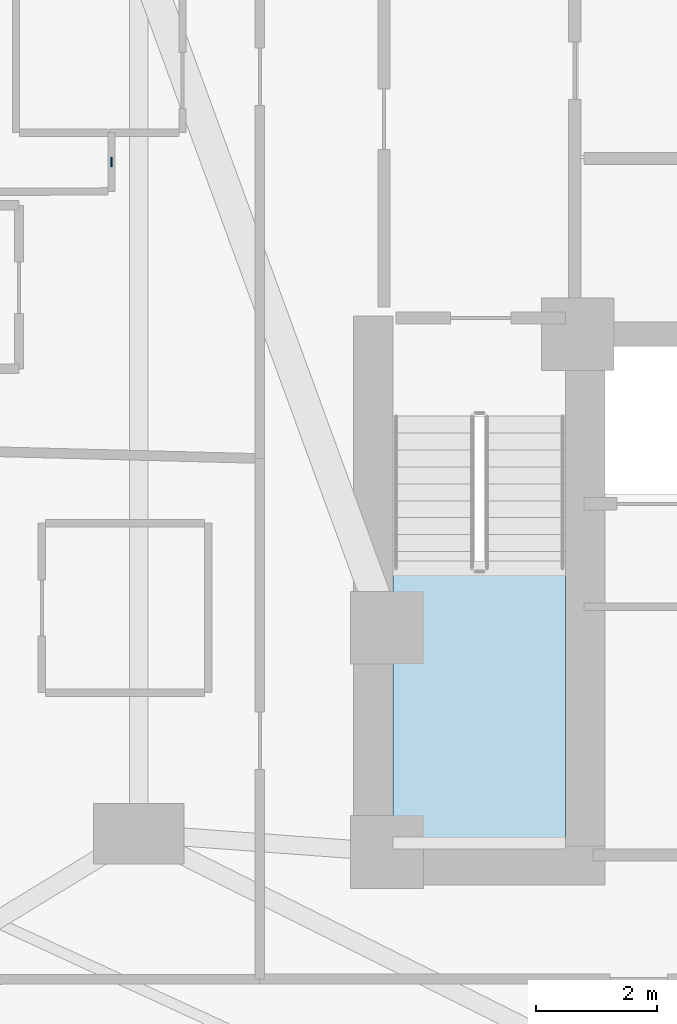
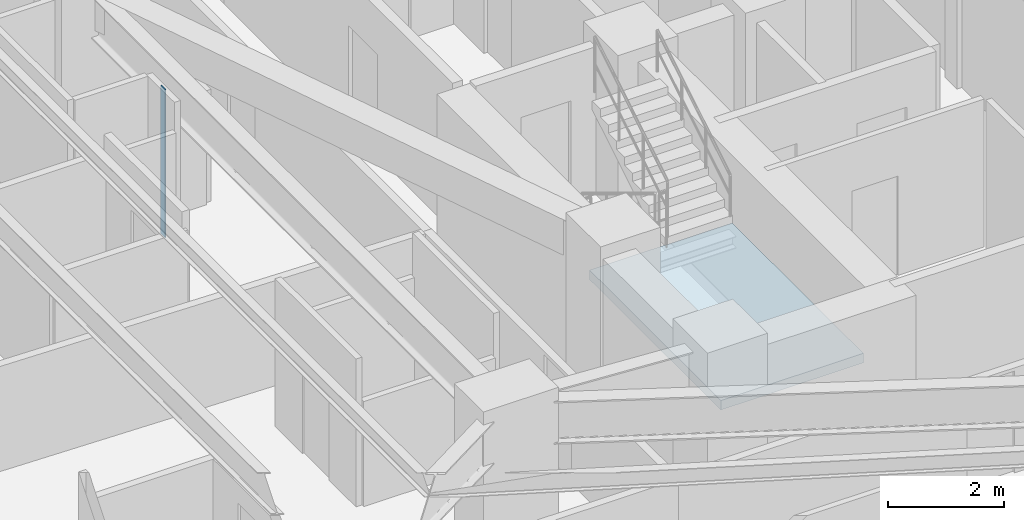
# One storey, part 4 of 17: 1 plate, 1 slab, 1 element without a shape of its own.
"""IFC4 building model written with IfcOpenShell, lengths in metres."""

import ifcopenshell
import ifcopenshell.guid

model = None  # the IFC model being written
_history = None  # IfcOwnerHistory: only IFC2X3 demands one
_inside = {}  # id of a spatial element -> (the spatial element, [elements in it])
_under = {}  # id of a project, library or spatial element -> (it, [spatial elements below it])
_declared = {}  # id of a project -> (the project, [libraries it declares])
_typed = {}  # id of a type object -> (the type object, [elements of that type])
_made_of = {}  # id of a material, layer set ... -> (it, [elements and type objects made of it])


def new_model(schema):
    """Start an empty IFC model of exactly this schema.

    Asked for "IFC4X3", IfcOpenShell would pick the latest addendum, in which some entities
    have other attributes; the version numbers below select the first issue.
    IFC2X3 requires an IfcOwnerHistory on every rooted entity: one is made here for all.
    """
    global model, _history
    if schema == "IFC4X3":
        model = ifcopenshell.file(schema_version=(4, 3, 0, 0))
    else:
        model = ifcopenshell.file(schema=schema)
    _inside.clear()
    _under.clear()
    _declared.clear()
    _typed.clear()
    _made_of.clear()
    _history = None
    if model.schema == "IFC2X3":
        org = make("IfcOrganization", Name="unknown")
        user = make(
            "IfcPersonAndOrganization",
            ThePerson=make("IfcPerson", FamilyName="unknown"),
            TheOrganization=org,
        )
        app = make(
            "IfcApplication",
            ApplicationDeveloper=org,
            Version="unknown",
            ApplicationFullName="unknown",
            ApplicationIdentifier="unknown",
        )
        _history = make(
            "IfcOwnerHistory",
            OwningUser=user,
            OwningApplication=app,
            ChangeAction="ADDED",
            CreationDate=0,
        )
    return model


def make(cls, **values):
    """One entity of the class cls with the attributes given. An attribute that is None is left unset."""
    return model.create_entity(
        cls, **{name: value for name, value in values.items() if value is not None}
    )


def rooted(cls, **values):
    """An entity with a GlobalId (a new one), such as an element, a storey or a relation."""
    return make(cls, GlobalId=ifcopenshell.guid.new(), OwnerHistory=_history, **values)


def si_unit(unit_type, name, prefix=None):
    """IfcSIUnit, for example si_unit("LENGTHUNIT", "METRE", prefix="MILLI")."""
    return make("IfcSIUnit", UnitType=unit_type, Prefix=prefix, Name=name)


def assignment(units):
    """IfcUnitAssignment: the units of a project."""
    return None if units is None else make("IfcUnitAssignment", Units=units)


def point(xyz):
    """IfcCartesianPoint."""
    return None if xyz is None else make("IfcCartesianPoint", Coordinates=xyz)


def direction(xyz):
    """IfcDirection."""
    return None if xyz is None else make("IfcDirection", DirectionRatios=xyz)


def frame(location, z_axis=None, x_axis=None):
    """IfcAxis2Placement3D, a coordinate frame: its origin and axes. An axis left out is left unset."""
    return make(
        "IfcAxis2Placement3D",
        Location=point(location),
        Axis=direction(z_axis),
        RefDirection=direction(x_axis),
    )


def frame_2d(location, x_axis=None):
    """IfcAxis2Placement2D, a coordinate frame in the plane: its origin and x axis."""
    return make(
        "IfcAxis2Placement2D", Location=point(location), RefDirection=direction(x_axis)
    )


def origin():
    """The frame at (0, 0, 0) with its axes left unset."""
    return frame((0.0, 0.0, 0.0))


def origin_2d():
    """The frame at (0, 0) in the plane with its x axis left unset."""
    return frame_2d((0.0, 0.0))


def place(relative_to, where):
    """IfcLocalPlacement: puts the frame where relative to a parent placement (None: the world)."""
    return make(
        "IfcLocalPlacement", PlacementRelTo=relative_to, RelativePlacement=where
    )


def context(
    kind, dimensions, precision=None, world=None, true_north=None, identifier=None
):
    """IfcGeometricRepresentationContext, for example the 3D "Model" context."""
    return make(
        "IfcGeometricRepresentationContext",
        ContextIdentifier=identifier,
        ContextType=kind,
        CoordinateSpaceDimension=dimensions,
        Precision=precision,
        WorldCoordinateSystem=world,
        TrueNorth=true_north,
    )


def subcontext(parent, identifier, kind, view, scale=None):
    """IfcGeometricRepresentationSubContext, for example "Body" below "Model"."""
    return make(
        "IfcGeometricRepresentationSubContext",
        ContextIdentifier=identifier,
        ContextType=kind,
        ParentContext=parent,
        TargetScale=scale,
        TargetView=view,
    )


def project(units=None, contexts=None):
    """IfcProject with its units and contexts."""
    return rooted(
        "IfcProject",
        Name="project",
        RepresentationContexts=contexts,
        UnitsInContext=assignment(units),
    )


def spatial(cls, under=None, at=None, **own):
    """A site, building, storey or space (cls), placed at a placement, below another one or the project."""
    s = rooted(cls, ObjectPlacement=at, **own)
    if under is not None:
        _under.setdefault(under.id(), (under, []))[1].append(s)
    return s


def polyline(points):
    """IfcPolyline through the points."""
    return make("IfcPolyline", Points=[point(p) for p in points])


def profile(cls, at=None, kind="AREA", **sizes):
    """A parametric profile (cls). Its sizes go by their IFC names, for example OverallWidth=200.0."""
    return make(cls, ProfileType=kind, Position=at, **sizes)


def rectangle(**sizes):
    """IfcRectangleProfileDef."""
    return profile("IfcRectangleProfileDef", **sizes)


def outline(outer, holes=None, kind="AREA"):
    """IfcArbitraryClosedProfileDef: a profile drawn as a closed curve; with holes, ...WithVoids."""
    if holes is None:
        return make("IfcArbitraryClosedProfileDef", ProfileType=kind, OuterCurve=outer)
    return make(
        "IfcArbitraryProfileDefWithVoids",
        ProfileType=kind,
        OuterCurve=outer,
        InnerCurves=holes,
    )


def extrude(swept, where, along, depth):
    """IfcExtrudedAreaSolid: the profile swept, set in the frame where, extruded along a direction by depth."""
    return make(
        "IfcExtrudedAreaSolid",
        SweptArea=swept,
        Position=where,
        ExtrudedDirection=direction(along),
        Depth=depth,
    )


def shape(context_of_items, identifier, shape_type, items):
    """IfcShapeRepresentation: the items that make up one representation, for example the "Body"."""
    return make(
        "IfcShapeRepresentation",
        ContextOfItems=context_of_items,
        RepresentationIdentifier=identifier,
        RepresentationType=shape_type,
        Items=items,
    )


def material(Name=None, Category=None):
    """IfcMaterial."""
    return make("IfcMaterial", Name=Name, Category=Category)


def layer(
    of_material, thickness, ventilated=None, Name=None, Category=None, Priority=None
):
    """IfcMaterialLayer: one layer of a wall or slab, of a material (None: an air gap)."""
    return make(
        "IfcMaterialLayer",
        Material=of_material,
        LayerThickness=thickness,
        IsVentilated=ventilated,
        Name=Name,
        Category=Category,
        Priority=Priority,
    )


def layer_set(layers, Name=None):
    """IfcMaterialLayerSet."""
    return make("IfcMaterialLayerSet", MaterialLayers=layers, LayerSetName=Name)


def made_of(thing, what):
    """Note that an element or type object is made of a material, layer set ...; save() writes the relation."""
    if what is not None:
        _made_of.setdefault(what.id(), (what, []))[1].append(thing)
    return thing


def type_object(cls, material=None, **own):
    """A type object (cls), such as IfcWallType, which elements share."""
    return made_of(rooted(cls, **own), material)


def element(
    cls,
    number,
    at=None,
    inside=None,
    cuts=None,
    type_object=None,
    material=None,
    context=None,
    identifier="Body",
    shape_type=None,
    held_by="IfcProductDefinitionShape",
    body=None,
    shapes=None,
    **own,
):
    """One element of the class cls, such as IfcWall. Its Tag is "e" and its number.

    at: its placement. inside: the storey or other place that contains it. cuts: it is an
    opening in that element (IfcRelVoidsElement). A single representation is given by context,
    identifier, shape_type and body (its items); several are given by shapes. held_by: the class
    of the entity that holds the representations. save() writes the other relations.
    """
    e = rooted(cls, Tag="e%d" % number, ObjectPlacement=at, **own)
    if body is not None:
        shapes = [shape(context, identifier, shape_type, body)]
    if shapes is not None:
        e.Representation = make(held_by, Representations=shapes)
    if inside is not None:
        _inside.setdefault(inside.id(), (inside, []))[1].append(e)
    if cuts is not None:
        rooted(
            "IfcRelVoidsElement", RelatingBuildingElement=cuts, RelatedOpeningElement=e
        )
    if type_object is not None:
        _typed.setdefault(type_object.id(), (type_object, []))[1].append(e)
    return made_of(e, material)


def aggregate(whole, parts):
    """IfcRelAggregates: a whole, such as a stair, and the parts it consists of."""
    return rooted("IfcRelAggregates", RelatingObject=whole, RelatedObjects=parts)


def save(model, path):
    """Write the relations noted so far, then the file.

    IfcRelAggregates (storeys below a building ...), IfcRelContainedInSpatialStructure (elements
    in a storey), IfcRelDefinesByType, IfcRelAssociatesMaterial and IfcRelDeclares: one each for
    every whole, place, type object, material and project.
    """
    for whole, parts in _under.values():
        aggregate(whole, parts)
    for where, things in _inside.values():
        rooted(
            "IfcRelContainedInSpatialStructure",
            RelatedElements=things,
            RelatingStructure=where,
        )
    for kind, things in _typed.values():
        rooted("IfcRelDefinesByType", RelatedObjects=things, RelatingType=kind)
    for what, things in _made_of.values():
        rooted("IfcRelAssociatesMaterial", RelatedObjects=things, RelatingMaterial=what)
    for by, libraries in _declared.values():
        rooted("IfcRelDeclares", RelatingContext=by, RelatedDefinitions=libraries)
    model.write(path)


model = new_model("IFC4")

# Units and contexts
model_context = context("Model", 3, precision=1e-05, world=origin(), true_north=direction((0.0, 1.0)))
body_context = subcontext(model_context, "Body", "Model", "MODEL_VIEW")
ifc_project = project(units=[si_unit("LENGTHUNIT", "METRE"), si_unit("AREAUNIT", "SQUARE_METRE"), si_unit("VOLUMEUNIT", "CUBIC_METRE"), si_unit("PLANEANGLEUNIT", "RADIAN"), si_unit("MASSUNIT", "GRAM", prefix="KILO")], contexts=[model_context])

# Site, building, storey
site_placement = place(None, origin())
site = spatial("IfcSite", under=ifc_project, at=site_placement, CompositionType="ELEMENT")
building_placement = place(site_placement, origin())
building = spatial("IfcBuilding", under=site, at=building_placement, Name="Miruveldt Soraemaru", CompositionType="ELEMENT")
storey_placement = place(building_placement, frame((0.0, 0.0, 29.199951171875)))
storey = spatial("IfcBuildingStorey", under=building, at=storey_placement, Name="L07", CompositionType="ELEMENT", Elevation=29.199951171875)

# Plate
ifc_material_1 = material(Name="Anodised aluminium EN AW-6063 T6", Category="aluminium")
ifc_layer_1 = layer(ifc_material_1, 0.02001953125, Name="Anodised aluminium EN AW-6063 T6", Category="aluminium")
ifc_layer_set_1 = layer_set([ifc_layer_1], Name="Anodised aluminium EN AW-6063 T6")
plate_type = type_object("IfcPlateType", Name="PLT-PART-TRIM", PredefinedType="SHEET", material=ifc_layer_set_1)
plate_placement = place(storey_placement, frame((30.949951171875, 46.89501953125, 0.0), z_axis=(0.0, 0.0, 1.0), x_axis=(0.0, -1.0, 0.0)))
element("IfcPlate", 1, at=plate_placement, inside=storey, type_object=plate_type, Name="L07 Partition Step Corner Trim Plate 049", PredefinedType="SHEET", context=body_context, shape_type="SweptSolid", body=[
    extrude(rectangle(XDim=0.159912109375, YDim=0.02001953125, at=origin_2d()), origin(), (0.0, 0.0, 1.0), 3.125),
])

# Stair, slab
ifc_material_2 = material(Name="Concrete C40/50 (40 MPa)", Category="concrete")
stair_type = type_object("IfcStairType", Name="STAIR-DL-340", PredefinedType="HALF_TURN_STAIR", material=ifc_material_2)
stair_placement = place(storey_placement, origin())
stair = element("IfcStair", 2, at=stair_placement, inside=storey, type_object=stair_type, Name="L07 Protected Exit Stair ST-1", PredefinedType="HALF_TURN_STAIR")
ifc_layer_2 = layer(ifc_material_2, 0.199951171875, Name="Concrete C40/50 (40 MPa)", Category="concrete")
ifc_layer_set_2 = layer_set([ifc_layer_2], Name="Concrete C40/50 (40 MPa)")
slab_type = type_object("IfcSlabType", Name="SLAB-LAND-200", PredefinedType="LANDING", material=ifc_layer_set_2)
slab_placement = place(storey_placement, frame((0.0, 0.0, 1.5)))
slab = element("IfcSlab", 3, at=slab_placement, type_object=slab_type, Name="ST-1 landing 1", PredefinedType="LANDING", context=body_context, shape_type="SweptSolid", body=[
    extrude(outline(polyline([(35.60009765625, 40.197998046875), (35.60009765625, 35.64990234375), (38.449951171875, 35.64990234375), (38.449951171875, 40.197998046875), (35.60009765625, 40.197998046875)])), origin(), (0.0, 0.0, 1.0), 0.199951171875),
])
aggregate(stair, [slab])

save(model, "model.ifc")
